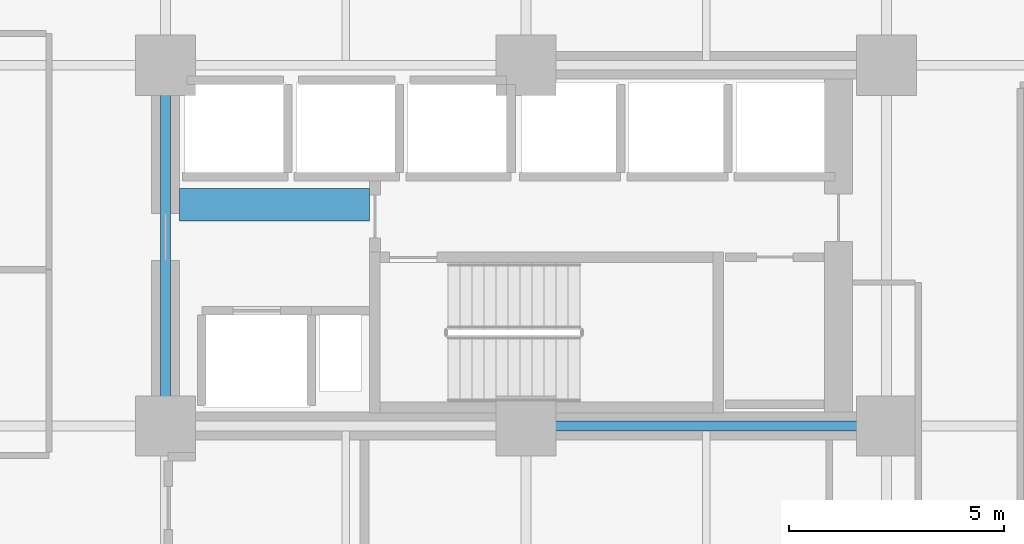
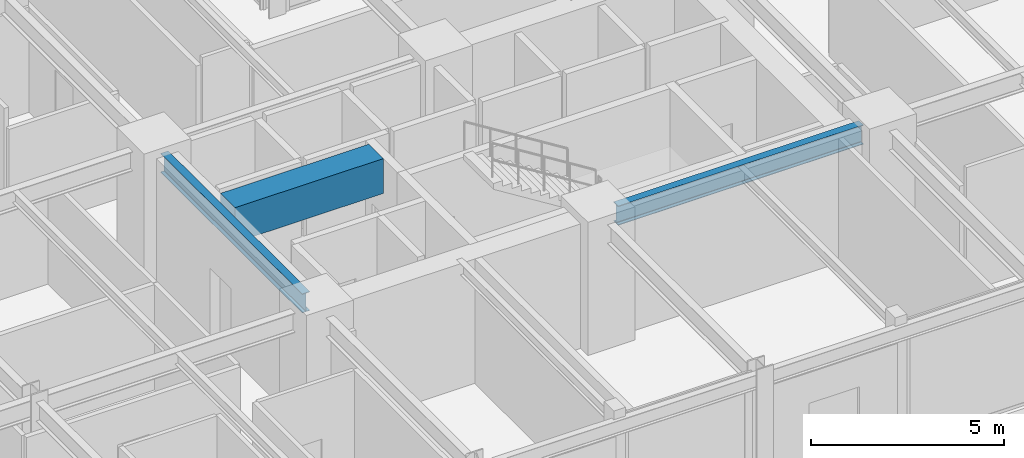
# One storey, part 7 of 26: 3 beams.
"""IFC4 building model written with IfcOpenShell, lengths in metres."""

from ifc_helpers import new_model, si_unit, direction, frame, origin, origin_2d, place, context, subcontext, project, spatial, rectangle, i_section, extrude, material, material_profile, profile_set, type_object, element, save


model = new_model("IFC4")

# Units and contexts
model_context = context("Model", 3, precision=1e-05, world=origin(), true_north=direction((0.0, 1.0)))
body_context = subcontext(model_context, "Body", "Model", "MODEL_VIEW")
ifc_project = project(units=[si_unit("LENGTHUNIT", "METRE"), si_unit("AREAUNIT", "SQUARE_METRE"), si_unit("VOLUMEUNIT", "CUBIC_METRE"), si_unit("PLANEANGLEUNIT", "RADIAN"), si_unit("MASSUNIT", "GRAM", prefix="KILO")], contexts=[model_context])

# Site, building, storey
site_placement = place(None, origin())
site = spatial("IfcSite", under=ifc_project, at=site_placement, CompositionType="ELEMENT")
building_placement = place(site_placement, origin())
building = spatial("IfcBuilding", under=site, at=building_placement, Name="Nerrivon Quay Data Exchange", CompositionType="ELEMENT")
storey_placement = place(building_placement, frame((0.0, 0.0, 71.0)))
storey = spatial("IfcBuildingStorey", under=building, at=storey_placement, Name="L16", CompositionType="ELEMENT", Elevation=71.0)

# Beams
ifc_material_1 = material(Name="Concrete S65 (65 MPa)", Category="concrete")
ifc_material_profile_1 = material_profile(ifc_material_1, rectangle(XDim=0.75, YDim=1.10009765625, at=origin_2d()), Name="RC-CB-750x1100")
ifc_profile_set_1 = profile_set([ifc_material_profile_1], Name="Concrete S65 (65 MPa)")
beam_type_1 = type_object("IfcBeamType", Name="BM-CB1-750x1100", PredefinedType="LINTEL", material=ifc_profile_set_1)
beam_1_placement = place(storey_placement, frame((17.125, 13.550048828125, 3.375), z_axis=(1.0, 0.0, 0.0), x_axis=(0.0, 1.0, 0.0)))
element("IfcBeam", 1, at=beam_1_placement, inside=storey, type_object=beam_type_1, Name="L16 East Core Coupling Beam", PredefinedType="LINTEL", context=body_context, shape_type="SweptSolid", body=[
    extrude(rectangle(XDim=0.75, YDim=1.10009765625, at=origin_2d()), origin(), (0.0, 0.0, 1.0), 4.429931640625),
])
ifc_material_2 = material(Name="Steel Grade 350", Category="steel")
ifc_material_profile_2 = material_profile(ifc_material_2, i_section(OverallWidth=0.22900390625, OverallDepth=0.612060546875, WebThickness=0.011962890625, FlangeThickness=0.01953125, FilletRadius=0.013916015625, at=origin_2d()), Name="610UB125")
ifc_profile_set_2 = profile_set([ifc_material_profile_2], Name="Steel Grade 350")
beam_type_2 = type_object("IfcBeamType", Name="BM-G1-610UB125", PredefinedType="BEAM", material=ifc_profile_set_2)
beam_2_placement = place(storey_placement, frame((25.739990234375, 8.39990234375, 3.618896484375), z_axis=(1.0, 0.0, 0.0), x_axis=(0.0, 1.0, 0.0)))
element("IfcBeam", 2, at=beam_2_placement, inside=storey, type_object=beam_type_2, Name="L16 EW Girder Y=8.4 (25.2..33.6)", PredefinedType="BEAM", context=body_context, shape_type="SweptSolid", body=[
    extrude(i_section(OverallWidth=0.22900390625, OverallDepth=0.612060546875, WebThickness=0.011962890625, FlangeThickness=0.01953125, FilletRadius=0.013916015625, at=origin_2d()), origin(), (0.0, 0.0, 1.0), 7.320068359375),
])
ifc_material_profile_3 = material_profile(ifc_material_2, i_section(OverallWidth=0.22802734375, OverallDepth=0.60205078125, WebThickness=0.010498046875, FlangeThickness=0.014892578125, FilletRadius=0.013916015625, at=origin_2d()), Name="610UB101")
ifc_profile_set_3 = profile_set([ifc_material_profile_3], Name="Steel Grade 350")
beam_type_3 = type_object("IfcBeamType", Name="BM-G2-610UB101", PredefinedType="BEAM", material=ifc_profile_set_3)
beam_3_placement = place(storey_placement, frame((16.800048828125, 8.93994140625, 3.6240234375), z_axis=(0.0, 1.0, 0.0), x_axis=(-1.0, 0.0, 0.0)))
element("IfcBeam", 3, at=beam_3_placement, inside=storey, type_object=beam_type_3, Name="L16 NS Girder X=16.8 (8.4..16.8)", PredefinedType="BEAM", context=body_context, shape_type="SweptSolid", body=[
    extrude(i_section(OverallWidth=0.22802734375, OverallDepth=0.60205078125, WebThickness=0.010498046875, FlangeThickness=0.014892578125, FilletRadius=0.013916015625, at=origin_2d()), origin(), (0.0, 0.0, 1.0), 7.320068359375),
])

save(model, "model.ifc")
